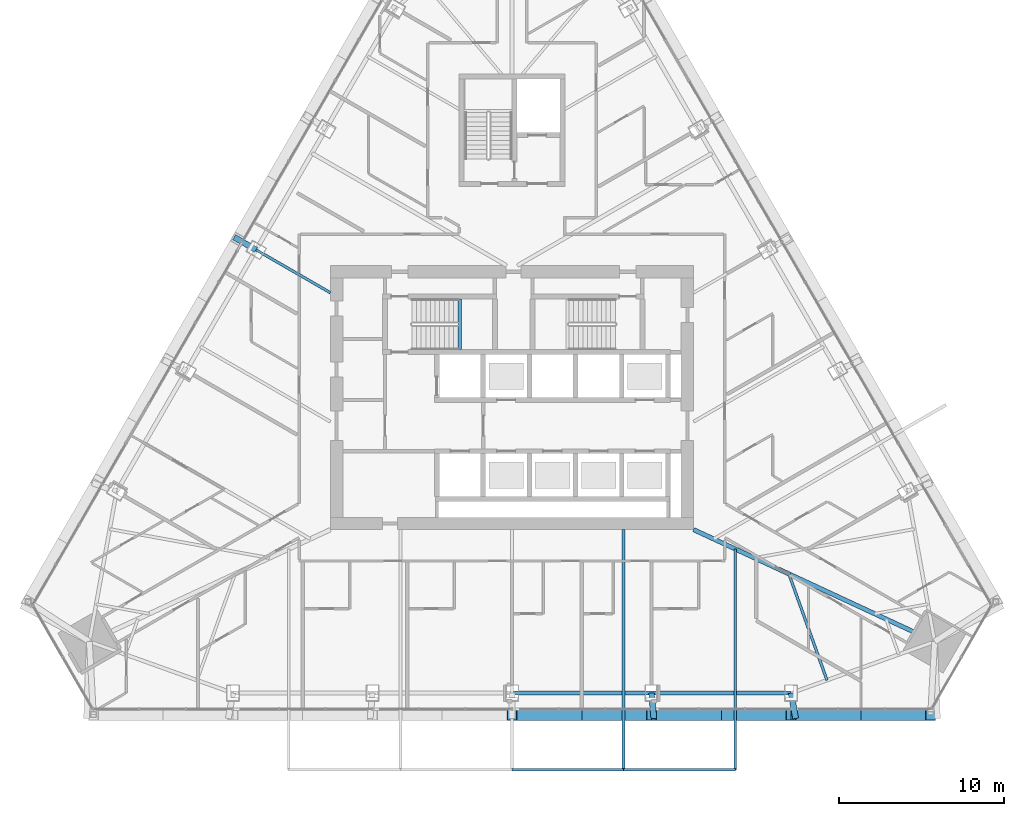
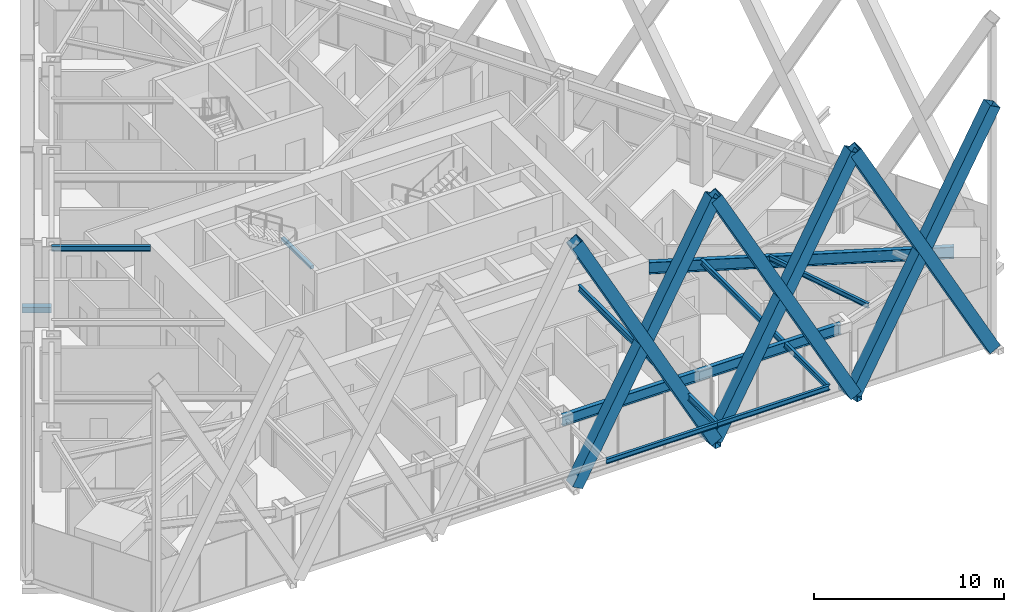
# One storey, part 6 of 19: 9 beams, 9 members.
"""IFC4 building model written with IfcOpenShell, lengths in metres."""

import ifcopenshell
import ifcopenshell.guid

model = None  # the IFC model being written
_history = None  # IfcOwnerHistory: only IFC2X3 demands one
_inside = {}  # id of a spatial element -> (the spatial element, [elements in it])
_under = {}  # id of a project, library or spatial element -> (it, [spatial elements below it])
_declared = {}  # id of a project -> (the project, [libraries it declares])
_typed = {}  # id of a type object -> (the type object, [elements of that type])
_made_of = {}  # id of a material, layer set ... -> (it, [elements and type objects made of it])


def new_model(schema):
    """Start an empty IFC model of exactly this schema.

    Asked for "IFC4X3", IfcOpenShell would pick the latest addendum, in which some entities
    have other attributes; the version numbers below select the first issue.
    IFC2X3 requires an IfcOwnerHistory on every rooted entity: one is made here for all.
    """
    global model, _history
    if schema == "IFC4X3":
        model = ifcopenshell.file(schema_version=(4, 3, 0, 0))
    else:
        model = ifcopenshell.file(schema=schema)
    _inside.clear()
    _under.clear()
    _declared.clear()
    _typed.clear()
    _made_of.clear()
    _history = None
    if model.schema == "IFC2X3":
        org = make("IfcOrganization", Name="unknown")
        user = make(
            "IfcPersonAndOrganization",
            ThePerson=make("IfcPerson", FamilyName="unknown"),
            TheOrganization=org,
        )
        app = make(
            "IfcApplication",
            ApplicationDeveloper=org,
            Version="unknown",
            ApplicationFullName="unknown",
            ApplicationIdentifier="unknown",
        )
        _history = make(
            "IfcOwnerHistory",
            OwningUser=user,
            OwningApplication=app,
            ChangeAction="ADDED",
            CreationDate=0,
        )
    return model


def make(cls, **values):
    """One entity of the class cls with the attributes given. An attribute that is None is left unset."""
    return model.create_entity(
        cls, **{name: value for name, value in values.items() if value is not None}
    )


def rooted(cls, **values):
    """An entity with a GlobalId (a new one), such as an element, a storey or a relation."""
    return make(cls, GlobalId=ifcopenshell.guid.new(), OwnerHistory=_history, **values)


def si_unit(unit_type, name, prefix=None):
    """IfcSIUnit, for example si_unit("LENGTHUNIT", "METRE", prefix="MILLI")."""
    return make("IfcSIUnit", UnitType=unit_type, Prefix=prefix, Name=name)


def assignment(units):
    """IfcUnitAssignment: the units of a project."""
    return None if units is None else make("IfcUnitAssignment", Units=units)


def point(xyz):
    """IfcCartesianPoint."""
    return None if xyz is None else make("IfcCartesianPoint", Coordinates=xyz)


def direction(xyz):
    """IfcDirection."""
    return None if xyz is None else make("IfcDirection", DirectionRatios=xyz)


def frame(location, z_axis=None, x_axis=None):
    """IfcAxis2Placement3D, a coordinate frame: its origin and axes. An axis left out is left unset."""
    return make(
        "IfcAxis2Placement3D",
        Location=point(location),
        Axis=direction(z_axis),
        RefDirection=direction(x_axis),
    )


def frame_2d(location, x_axis=None):
    """IfcAxis2Placement2D, a coordinate frame in the plane: its origin and x axis."""
    return make(
        "IfcAxis2Placement2D", Location=point(location), RefDirection=direction(x_axis)
    )


def origin():
    """The frame at (0, 0, 0) with its axes left unset."""
    return frame((0.0, 0.0, 0.0))


def origin_2d():
    """The frame at (0, 0) in the plane with its x axis left unset."""
    return frame_2d((0.0, 0.0))


def place(relative_to, where):
    """IfcLocalPlacement: puts the frame where relative to a parent placement (None: the world)."""
    return make(
        "IfcLocalPlacement", PlacementRelTo=relative_to, RelativePlacement=where
    )


def context(
    kind, dimensions, precision=None, world=None, true_north=None, identifier=None
):
    """IfcGeometricRepresentationContext, for example the 3D "Model" context."""
    return make(
        "IfcGeometricRepresentationContext",
        ContextIdentifier=identifier,
        ContextType=kind,
        CoordinateSpaceDimension=dimensions,
        Precision=precision,
        WorldCoordinateSystem=world,
        TrueNorth=true_north,
    )


def subcontext(parent, identifier, kind, view, scale=None):
    """IfcGeometricRepresentationSubContext, for example "Body" below "Model"."""
    return make(
        "IfcGeometricRepresentationSubContext",
        ContextIdentifier=identifier,
        ContextType=kind,
        ParentContext=parent,
        TargetScale=scale,
        TargetView=view,
    )


def project(units=None, contexts=None):
    """IfcProject with its units and contexts."""
    return rooted(
        "IfcProject",
        Name="project",
        RepresentationContexts=contexts,
        UnitsInContext=assignment(units),
    )


def spatial(cls, under=None, at=None, **own):
    """A site, building, storey or space (cls), placed at a placement, below another one or the project."""
    s = rooted(cls, ObjectPlacement=at, **own)
    if under is not None:
        _under.setdefault(under.id(), (under, []))[1].append(s)
    return s


def profile(cls, at=None, kind="AREA", **sizes):
    """A parametric profile (cls). Its sizes go by their IFC names, for example OverallWidth=200.0."""
    return make(cls, ProfileType=kind, Position=at, **sizes)


def rectangle(**sizes):
    """IfcRectangleProfileDef."""
    return profile("IfcRectangleProfileDef", **sizes)


def hollow_rectangle(**sizes):
    """IfcRectangleHollowProfileDef."""
    return profile("IfcRectangleHollowProfileDef", **sizes)


def i_section(**sizes):
    """IfcIShapeProfileDef."""
    return profile("IfcIShapeProfileDef", **sizes)


def extrude(swept, where, along, depth):
    """IfcExtrudedAreaSolid: the profile swept, set in the frame where, extruded along a direction by depth."""
    return make(
        "IfcExtrudedAreaSolid",
        SweptArea=swept,
        Position=where,
        ExtrudedDirection=direction(along),
        Depth=depth,
    )


def shape(context_of_items, identifier, shape_type, items):
    """IfcShapeRepresentation: the items that make up one representation, for example the "Body"."""
    return make(
        "IfcShapeRepresentation",
        ContextOfItems=context_of_items,
        RepresentationIdentifier=identifier,
        RepresentationType=shape_type,
        Items=items,
    )


def material(Name=None, Category=None):
    """IfcMaterial."""
    return make("IfcMaterial", Name=Name, Category=Category)


def material_profile(
    of_material, cross_section, Name=None, Category=None, Priority=None
):
    """IfcMaterialProfile: a cross section and its material."""
    return make(
        "IfcMaterialProfile",
        Name=Name,
        Material=of_material,
        Profile=cross_section,
        Priority=Priority,
        Category=Category,
    )


def profile_set(profiles, Name=None, composite=None):
    """IfcMaterialProfileSet."""
    return make(
        "IfcMaterialProfileSet",
        Name=Name,
        MaterialProfiles=profiles,
        CompositeProfile=composite,
    )


def made_of(thing, what):
    """Note that an element or type object is made of a material, layer set ...; save() writes the relation."""
    if what is not None:
        _made_of.setdefault(what.id(), (what, []))[1].append(thing)
    return thing


def type_object(cls, material=None, **own):
    """A type object (cls), such as IfcWallType, which elements share."""
    return made_of(rooted(cls, **own), material)


def element(
    cls,
    number,
    at=None,
    inside=None,
    cuts=None,
    type_object=None,
    material=None,
    context=None,
    identifier="Body",
    shape_type=None,
    held_by="IfcProductDefinitionShape",
    body=None,
    shapes=None,
    **own,
):
    """One element of the class cls, such as IfcWall. Its Tag is "e" and its number.

    at: its placement. inside: the storey or other place that contains it. cuts: it is an
    opening in that element (IfcRelVoidsElement). A single representation is given by context,
    identifier, shape_type and body (its items); several are given by shapes. held_by: the class
    of the entity that holds the representations. save() writes the other relations.
    """
    e = rooted(cls, Tag="e%d" % number, ObjectPlacement=at, **own)
    if body is not None:
        shapes = [shape(context, identifier, shape_type, body)]
    if shapes is not None:
        e.Representation = make(held_by, Representations=shapes)
    if inside is not None:
        _inside.setdefault(inside.id(), (inside, []))[1].append(e)
    if cuts is not None:
        rooted(
            "IfcRelVoidsElement", RelatingBuildingElement=cuts, RelatedOpeningElement=e
        )
    if type_object is not None:
        _typed.setdefault(type_object.id(), (type_object, []))[1].append(e)
    return made_of(e, material)


def aggregate(whole, parts):
    """IfcRelAggregates: a whole, such as a stair, and the parts it consists of."""
    return rooted("IfcRelAggregates", RelatingObject=whole, RelatedObjects=parts)


def save(model, path):
    """Write the relations noted so far, then the file.

    IfcRelAggregates (storeys below a building ...), IfcRelContainedInSpatialStructure (elements
    in a storey), IfcRelDefinesByType, IfcRelAssociatesMaterial and IfcRelDeclares: one each for
    every whole, place, type object, material and project.
    """
    for whole, parts in _under.values():
        aggregate(whole, parts)
    for where, things in _inside.values():
        rooted(
            "IfcRelContainedInSpatialStructure",
            RelatedElements=things,
            RelatingStructure=where,
        )
    for kind, things in _typed.values():
        rooted("IfcRelDefinesByType", RelatedObjects=things, RelatingType=kind)
    for what, things in _made_of.values():
        rooted("IfcRelAssociatesMaterial", RelatedObjects=things, RelatingMaterial=what)
    for by, libraries in _declared.values():
        rooted("IfcRelDeclares", RelatingContext=by, RelatedDefinitions=libraries)
    model.write(path)


model = new_model("IFC4")

# Units and contexts
model_context = context("Model", 3, precision=1e-05, world=origin(), true_north=direction((0.0, 1.0)))
body_context = subcontext(model_context, "Body", "Model", "MODEL_VIEW")
ifc_project = project(units=[si_unit("LENGTHUNIT", "METRE"), si_unit("AREAUNIT", "SQUARE_METRE"), si_unit("VOLUMEUNIT", "CUBIC_METRE"), si_unit("PLANEANGLEUNIT", "RADIAN"), si_unit("MASSUNIT", "GRAM", prefix="KILO")], contexts=[model_context])

# Site, building, storey
site_placement = place(None, origin())
site = spatial("IfcSite", under=ifc_project, at=site_placement, CompositionType="ELEMENT")
building_placement = place(site_placement, origin())
building = spatial("IfcBuilding", under=site, at=building_placement, Name="Firuza Gate Tower and Library", CompositionType="ELEMENT")
storey_placement = place(building_placement, frame((0.0, 0.0, 218.199951171875)))
storey = spatial("IfcBuildingStorey", under=building, at=storey_placement, Name="L51", CompositionType="ELEMENT", Elevation=218.199951171875)

# Members
ifc_material_1 = material(Name="Steel S355", Category="steel")
ifc_material_profile_1 = material_profile(ifc_material_1, hollow_rectangle(XDim=0.699951171875, YDim=0.699951171875, WallThickness=0.030029296875, at=origin_2d()))
ifc_profile_set_1 = profile_set([ifc_material_profile_1], Name="Steel S355")
member_type_1 = type_object("IfcMemberType", Name="BU700x700x30 Lattice brace", PredefinedType="BRACE", material=ifc_profile_set_1)
for number, where, z_axis, x_axis, name in (
    (1, (75.0, 55.79736328125, 0.0), (0.476523365501, 0.0, 0.87916180657), (0.0, 1.0, 0.0), "Lattice brace S 12.4R"),
    (2, (83.45556640625, 55.79736328125, 0.0), (-0.476523365501, 0.0, 0.87916180657), (0.0, -1.0, 0.0), "Lattice brace S 12.4L"),
    (3, (83.45556640625, 55.79736328125, 0.0), (0.476533999947, 0.0, 0.879156042403), (0.0, 1.0, 0.0), "Lattice brace S 12.5R"),
    (4, (91.911376953125, 55.79736328125, 0.0), (-0.476533999947, 0.0, 0.879156042403), (0.0, -1.0, 0.0), "Lattice brace S 12.5L"),
    (5, (91.911376953125, 55.79736328125, 0.0), (0.476523365501, 0.0, 0.87916180657), (0.0, 1.0, 0.0), "Lattice brace S 12.6R"),
    (6, (100.366943359375, 55.79736328125, 0.0), (-0.476523365501, 0.0, 0.87916180657), (0.0, -1.0, 0.0), "Lattice brace S 12.6L"),
):
    element("IfcMember", number, at=place(storey_placement, frame(where, z_axis=z_axis, x_axis=x_axis)), inside=storey, type_object=member_type_1, Name=name, PredefinedType="BRACE", context=body_context, shape_type="SweptSolid", body=[
        extrude(hollow_rectangle(XDim=0.699951171875, YDim=0.699951171875, WallThickness=0.030029296875, at=origin_2d()), origin(), (0.0, 0.0, 1.0), 17.744384765625),
    ])
ifc_material_2 = material(Name="Steel S355", Category="steel")
ifc_material_profile_2 = material_profile(ifc_material_2, hollow_rectangle(XDim=0.355712890625, YDim=0.355712890625, WallThickness=0.014892578125, at=origin_2d()))
ifc_profile_set_2 = profile_set([ifc_material_profile_2], Name="Steel S355")
member_type_2 = type_object("IfcMemberType", Name="HSS356x356x16 Lattice node tie", PredefinedType="BRACE", material=ifc_profile_set_2)
member_1_placement = place(storey_placement, frame((83.45556640625, 57.097412109375, -0.320068359375), z_axis=(0.089424552204, -0.995993599107, 0.0), x_axis=(0.995993599107, 0.089424552204, 0.0)))
element("IfcMember", 7, at=member_1_placement, inside=storey, type_object=member_type_2, Name="Lattice node tie S L51 276", PredefinedType="BRACE", context=body_context, shape_type="SweptSolid", body=[
    extrude(hollow_rectangle(XDim=0.355712890625, YDim=0.355712890625, WallThickness=0.014892578125, at=origin_2d()), origin(), (0.0, 0.0, 1.0), 1.545166015625),
])
member_2_placement = place(storey_placement, frame((91.911376953125, 57.097412109375, -0.320068359375), z_axis=(0.176590369853, -0.984284431084, 0.0), x_axis=(0.984284431084, 0.176590369853, 0.0)))
element("IfcMember", 8, at=member_2_placement, inside=storey, type_object=member_type_2, Name="Lattice node tie S L51 277", PredefinedType="BRACE", context=body_context, shape_type="SweptSolid", body=[
    extrude(hollow_rectangle(XDim=0.355712890625, YDim=0.355712890625, WallThickness=0.014892578125, at=origin_2d()), origin(), (0.0, 0.0, 1.0), 1.563720703125),
])
member_3_placement = place(storey_placement, frame((59.495849609375, 83.951171875, -0.320068359375), z_axis=(-0.865939883869, 0.500148095592, 0.0), x_axis=(-0.500148095592, -0.865939883869, 0.0)))
element("IfcMember", 9, at=member_3_placement, inside=storey, type_object=member_type_2, Name="Lattice node tie W L51 284", PredefinedType="BRACE", context=body_context, shape_type="SweptSolid", body=[
    extrude(hollow_rectangle(XDim=0.355712890625, YDim=0.355712890625, WallThickness=0.014892578125, at=origin_2d()), origin(), (0.0, 0.0, 1.0), 1.5390625),
])

# Beams
ifc_material_3 = material(Name="Concrete C35/45", Category="concrete")
ifc_material_profile_3 = material_profile(ifc_material_3, rectangle(XDim=0.199951171875, YDim=0.199951171875, at=origin_2d()))
ifc_profile_set_3 = profile_set([ifc_material_profile_3], Name="Concrete C35/45")
beam_type_1 = type_object("IfcBeamType", Name="Stair landing bearer 200x200", PredefinedType="BEAM", material=ifc_profile_set_3)
beam_1_placement = place(storey_placement, frame((71.840087890625, 77.89990234375, 1.650146484375), z_axis=(0.0, 1.0, 0.0), x_axis=(-1.0, 0.0, 0.0)))
element("IfcBeam", 10, at=beam_1_placement, inside=storey, type_object=beam_type_1, Name="Landing bearer L51 stair 1", PredefinedType="BEAM", context=body_context, shape_type="SweptSolid", body=[
    extrude(rectangle(XDim=0.199951171875, YDim=0.199951171875, at=origin_2d()), origin(), (0.0, 0.0, 1.0), 3.080078125),
])
ifc_material_4 = material(Name="Steel S355", Category="steel")
ifc_material_profile_4 = material_profile(ifc_material_4, i_section(OverallWidth=0.1650390625, OverallDepth=0.31005859375, WebThickness=0.005859375, FlangeThickness=0.009765625, at=origin_2d()))
ifc_profile_set_4 = profile_set([ifc_material_profile_4], Name="Steel S355")
beam_type_2 = type_object("IfcBeamType", Name="W310x39 Floor beam", PredefinedType="JOIST", material=ifc_profile_set_4)
beam_2_placement = place(storey_placement, frame((94.08544921875, 57.876953125, 3.545166015625), z_axis=(-0.337452942664, 0.941342398645, 0.0), x_axis=(-0.941342398645, -0.337452942664, 0.0)))
element("IfcBeam", 11, at=beam_2_placement, inside=storey, type_object=beam_type_2, Name="Floor beam L51 s30", PredefinedType="JOIST", context=body_context, shape_type="SweptSolid", body=[
    extrude(i_section(OverallWidth=0.1650390625, OverallDepth=0.31005859375, WebThickness=0.005859375, FlangeThickness=0.009765625, at=origin_2d()), origin(), (0.0, 0.0, 1.0), 6.84130859375),
])
beam_3_placement = place(storey_placement, frame((59.495849609375, 83.951171875, 3.545166015625), z_axis=(0.866036280653, -0.499981160238, 0.0), x_axis=(0.499981160238, 0.866036280653, 0.0)))
element("IfcBeam", 12, at=beam_3_placement, inside=storey, type_object=beam_type_2, Name="Floor beam L51 s82", PredefinedType="JOIST", context=body_context, shape_type="SweptSolid", body=[
    extrude(i_section(OverallWidth=0.1650390625, OverallDepth=0.31005859375, WebThickness=0.005859375, FlangeThickness=0.009765625, at=origin_2d()), origin(), (0.0, 0.0, 1.0), 5.200927734375),
])
beam_4_placement = place(storey_placement, frame((75.0, 52.447509765625, 3.545166015625), z_axis=(1.0, 0.0, 0.0), x_axis=(0.0, 1.0, 0.0)))
element("IfcBeam", 13, at=beam_4_placement, inside=storey, type_object=beam_type_2, Name="Tray edge beam L51 s22-s23", PredefinedType="JOIST", context=body_context, shape_type="SweptSolid", body=[
    extrude(i_section(OverallWidth=0.1650390625, OverallDepth=0.31005859375, WebThickness=0.005859375, FlangeThickness=0.009765625, at=origin_2d()), origin(), (0.0, 0.0, 1.0), 6.7646484375),
])
beam_5_placement = place(storey_placement, frame((81.7646484375, 52.447509765625, 3.545166015625), z_axis=(1.0, 0.0, 0.0), x_axis=(0.0, 1.0, 0.0)))
element("IfcBeam", 14, at=beam_5_placement, inside=storey, type_object=beam_type_2, Name="Tray edge beam L51 s23-s24", PredefinedType="JOIST", context=body_context, shape_type="SweptSolid", body=[
    extrude(i_section(OverallWidth=0.1650390625, OverallDepth=0.31005859375, WebThickness=0.005859375, FlangeThickness=0.009765625, at=origin_2d()), origin(), (0.0, 0.0, 1.0), 6.764404296875),
])
ifc_material_5 = material(Name="Steel S355", Category="steel")
ifc_material_profile_5 = material_profile(ifc_material_5, i_section(OverallWidth=0.1708984375, OverallDepth=0.35498046875, WebThickness=0.007080078125, FlangeThickness=0.01171875, at=origin_2d()))
ifc_profile_set_5 = profile_set([ifc_material_profile_5], Name="Steel S355")
beam_type_3 = type_object("IfcBeamType", Name="W360x51 Floor beam", PredefinedType="JOIST", material=ifc_profile_set_5)
beam_6_placement = place(storey_placement, frame((88.529052734375, 52.447509765625, 3.5224609375), z_axis=(0.0, 1.0, 0.0), x_axis=(-1.0, 0.0, 0.0)))
element("IfcBeam", 15, at=beam_6_placement, inside=storey, type_object=beam_type_3, Name="Floor beam L51 s24", PredefinedType="JOIST", context=body_context, shape_type="SweptSolid", body=[
    extrude(i_section(OverallWidth=0.1708984375, OverallDepth=0.35498046875, WebThickness=0.007080078125, FlangeThickness=0.01171875, at=origin_2d()), origin(), (0.0, 0.0, 1.0), 13.3779296875),
])
ifc_material_6 = material(Name="Steel S355", Category="steel")
ifc_material_profile_6 = material_profile(ifc_material_6, i_section(OverallWidth=0.177978515625, OverallDepth=0.406982421875, WebThickness=0.0078125, FlangeThickness=0.0126953125, at=origin_2d()))
ifc_profile_set_6 = profile_set([ifc_material_profile_6], Name="Steel S355")
beam_type_4 = type_object("IfcBeamType", Name="W410x60 Floor beam", PredefinedType="JOIST", material=ifc_profile_set_6)
beam_7_placement = place(storey_placement, frame((81.7646484375, 52.447509765625, 3.49658203125), z_axis=(0.0, 1.0, 0.0), x_axis=(-1.0, 0.0, 0.0)))
element("IfcBeam", 16, at=beam_7_placement, inside=storey, type_object=beam_type_4, Name="Floor beam L51 s23", PredefinedType="JOIST", context=body_context, shape_type="SweptSolid", body=[
    extrude(i_section(OverallWidth=0.177978515625, OverallDepth=0.406982421875, WebThickness=0.0078125, FlangeThickness=0.0126953125, at=origin_2d()), origin(), (0.0, 0.0, 1.0), 14.552490234375),
])
ifc_material_7 = material(Name="Steel S355", Category="steel")
ifc_material_profile_7 = material_profile(ifc_material_7, i_section(OverallWidth=0.2529296875, OverallDepth=0.677978515625, WebThickness=0.01171875, FlangeThickness=0.016357421875, at=origin_2d()))
ifc_profile_set_7 = profile_set([ifc_material_profile_7], Name="Steel S355")
beam_type_5 = type_object("IfcBeamType", Name="W690x125 Edge beam", PredefinedType="SPANDREL", material=ifc_profile_set_7)
beam_8_placement = place(storey_placement, frame((75.0, 57.097412109375, 3.361083984375), z_axis=(1.0, 0.0, 0.0), x_axis=(0.0, 1.0, 0.0)))
element("IfcBeam", 17, at=beam_8_placement, inside=storey, type_object=beam_type_5, Name="Edge beam L51 e22", PredefinedType="SPANDREL", context=body_context, shape_type="SweptSolid", body=[
    extrude(i_section(OverallWidth=0.2529296875, OverallDepth=0.677978515625, WebThickness=0.01171875, FlangeThickness=0.016357421875, at=origin_2d()), origin(), (0.0, 0.0, 1.0), 16.911376953125),
])
ifc_material_8 = material(Name="Steel S355", Category="steel")
ifc_material_profile_8 = material_profile(ifc_material_8, i_section(OverallWidth=0.264892578125, OverallDepth=0.7529296875, WebThickness=0.01318359375, FlangeThickness=0.01708984375, at=origin_2d()))
ifc_profile_set_8 = profile_set([ifc_material_profile_8], Name="Steel S355")
beam_type_6 = type_object("IfcBeamType", Name="W760x147 Girder", PredefinedType="BEAM", material=ifc_profile_set_8)
beam_9_placement = place(storey_placement, frame((100.608154296875, 60.215087890625, 3.323486328125), z_axis=(-0.90694837612, 0.421241786927, 0.0), x_axis=(-0.421241786927, -0.90694837612, 0.0)))
element("IfcBeam", 18, at=beam_9_placement, inside=storey, type_object=beam_type_6, Name="Girder L51 gSE", PredefinedType="BEAM", context=body_context, shape_type="SweptSolid", body=[
    extrude(i_section(OverallWidth=0.264892578125, OverallDepth=0.7529296875, WebThickness=0.01318359375, FlangeThickness=0.01708984375, at=origin_2d()), origin(), (0.0, 0.0, 1.0), 16.10693359375),
])

save(model, "model.ifc")
